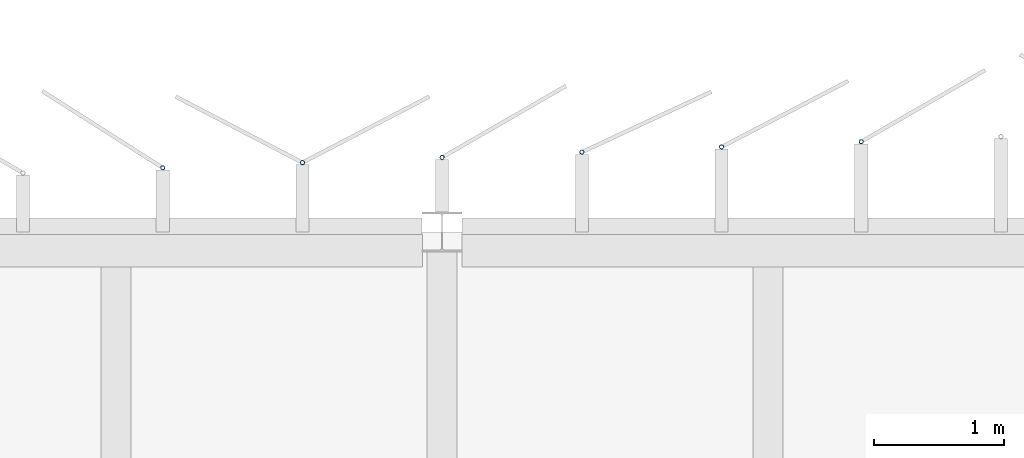
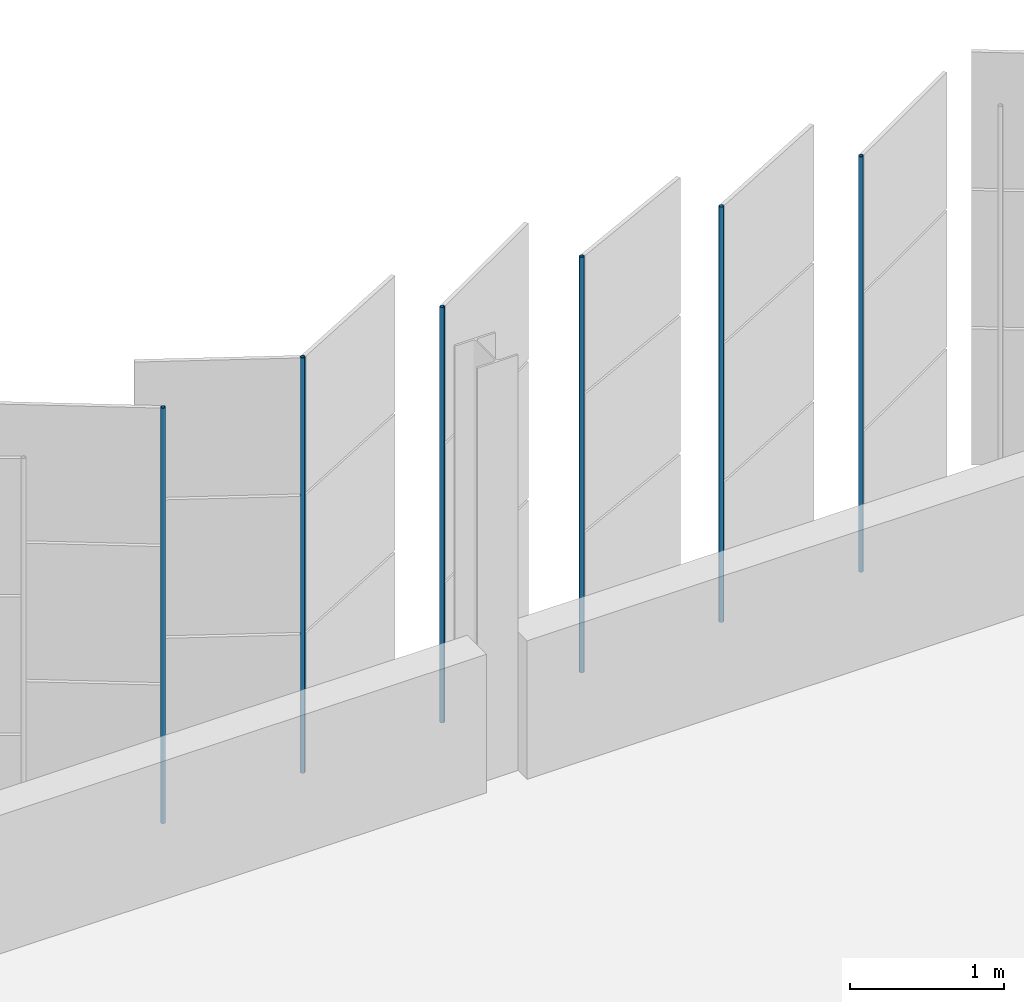
# One storey, part 155 of 199: 6 discrete accessories.
"""IFC4 building model written with IfcOpenShell, lengths in metres."""

from ifc_helpers import new_model, si_unit, direction, frame, origin, origin_2d, place, context, subcontext, project, spatial, hollow_circle, extrude, material, material_profile, profile_set, type_object, element, save


model = new_model("IFC4")

# Units and contexts
model_context = context("Model", 3, precision=1e-05, world=origin(), true_north=direction((0.0, 1.0)))
body_context = subcontext(model_context, "Body", "Model", "MODEL_VIEW")
ifc_project = project(units=[si_unit("LENGTHUNIT", "METRE"), si_unit("AREAUNIT", "SQUARE_METRE"), si_unit("VOLUMEUNIT", "CUBIC_METRE"), si_unit("PLANEANGLEUNIT", "RADIAN"), si_unit("MASSUNIT", "GRAM", prefix="KILO")], contexts=[model_context])

# Site, building, storey
site_placement = place(None, origin())
site = spatial("IfcSite", under=ifc_project, at=site_placement, CompositionType="ELEMENT")
building_placement = place(site_placement, origin())
building = spatial("IfcBuilding", under=site, at=building_placement, Name="Parallax Yard Mobility Hub", CompositionType="ELEMENT")
storey_placement = place(building_placement, frame((0.0, 0.0, 9.89990234375)))
storey = spatial("IfcBuildingStorey", under=building, at=storey_placement, Name="L03", CompositionType="ELEMENT", Elevation=9.89990234375)

# Discrete accessories
ifc_material = material(Name="Steel ASTM A500 Gr C, hot-dip galvanised", Category="steel")
ifc_material_profile = material_profile(ifc_material, hollow_circle(Radius=0.016845703125, WallThickness=0.003173828125, at=origin_2d()), Name="CHS 33.7x3.2")
ifc_profile_set = profile_set([ifc_material_profile], Name="Steel ASTM A500 Gr C, hot-dip galvanised")
discrete_accessory_type = type_object("IfcDiscreteAccessoryType", Name="Hinge post CHS 33.7x3.2", PredefinedType="BRACKET", material=ifc_profile_set)
for number, where, z_axis, x_axis, name in (
    (1, (168.215576171875, 143.19140625, 0.0), (0.0, 0.0, 1.0), (1.0, 0.0, 0.0), "Hinge post bay 51.5 level L03"),
    (2, (167.14404296875, 143.1513671875, 0.0), (0.0, 0.0, 1.0), (1.0, 0.0, 0.0), "Hinge post bay 51.6 level L03"),
    (3, (166.072509765625, 143.111328125, 0.0), (0.0, 0.0, 1.0), (1.0, 0.0, 0.0), "Hinge post bay 51.7 level L03"),
    (4, (165.0009765625, 143.0712890625, 0.0), (0.0, 0.0, 1.0), (1.0, 0.0, 0.0), "Hinge post bay 52.1 level L03"),
    (5, (163.929443359375, 143.03125, 0.0), (0.0, 0.0, 1.0), (1.0, 0.0, 0.0), "Hinge post bay 52.2 level L03"),
    (6, (162.85791015625, 142.9912109375, 0.0), (0.0, 0.0, 1.0), (1.0, 0.0, 0.0), "Hinge post bay 52.3 level L03"),
):
    element("IfcDiscreteAccessory", number, at=place(storey_placement, frame(where, z_axis=z_axis, x_axis=x_axis)), inside=storey, type_object=discrete_accessory_type, Name=name, PredefinedType="BRACKET", context=body_context, shape_type="SweptSolid", body=[
        extrude(hollow_circle(Radius=0.016845703125, WallThickness=0.003173828125, at=origin_2d()), origin(), (0.0, 0.0, 1.0), 3.300048828125),
    ])

save(model, "model.ifc")
